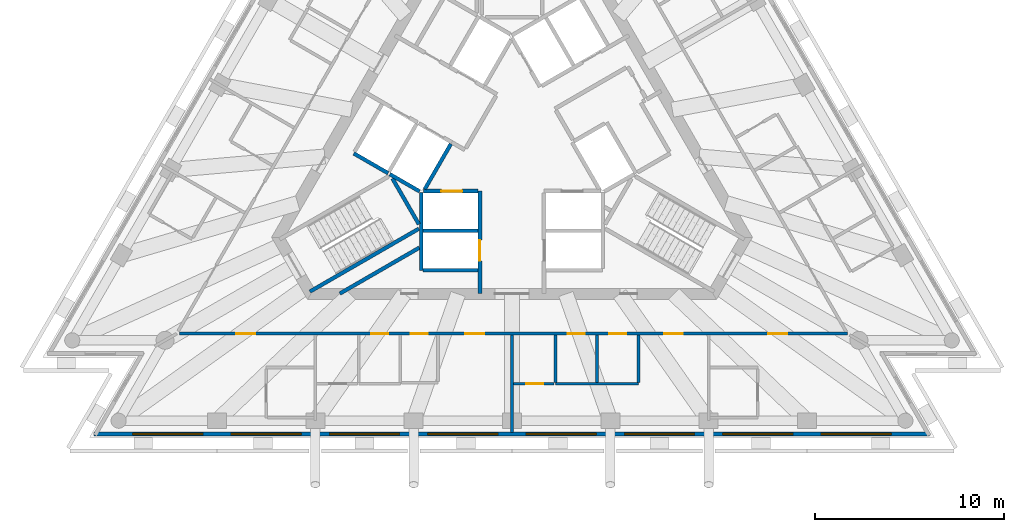
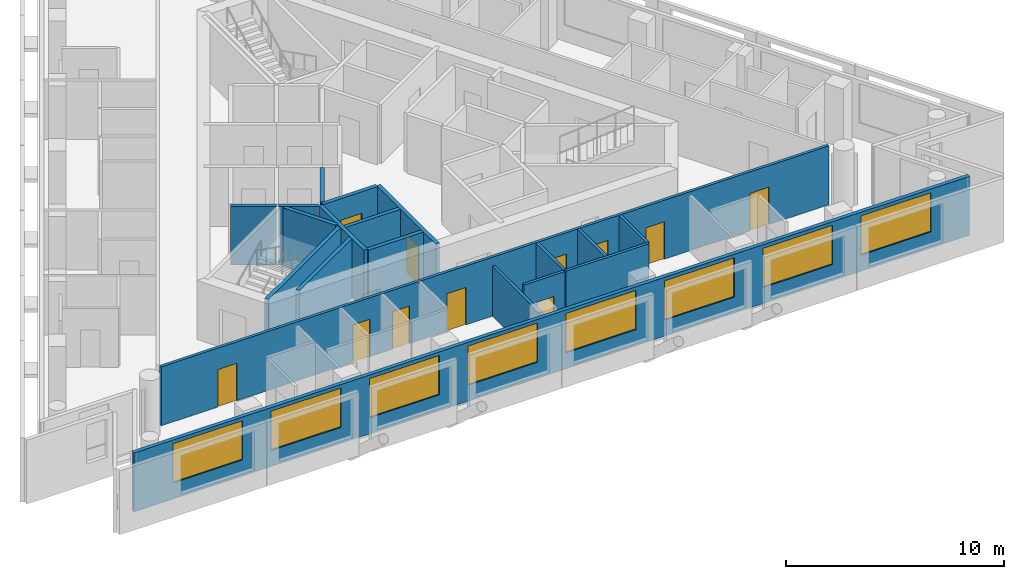
# One storey, part 3 of 10: 19 walls, 11 doors, 8 windows, 19 openings.
"""IFC4 building model written with IfcOpenShell, lengths in metres."""

from ifc_helpers import new_model, si_unit, direction, frame, frame_2d, origin, place, context, subcontext, project, spatial, rectangle, extrude, material, layer, layer_set, layer_usage, type_object, element, fill, save


model = new_model("IFC4")

# Units and contexts
model_context = context("Model", 3, precision=1e-05, world=origin(), true_north=direction((0.0, 1.0)))
body_context = subcontext(model_context, "Body", "Model", "MODEL_VIEW")
ifc_project = project(units=[si_unit("LENGTHUNIT", "METRE"), si_unit("AREAUNIT", "SQUARE_METRE"), si_unit("VOLUMEUNIT", "CUBIC_METRE"), si_unit("PLANEANGLEUNIT", "RADIAN"), si_unit("MASSUNIT", "GRAM", prefix="KILO")], contexts=[model_context])

# Site, building, storey
site_placement = place(None, origin())
site = spatial("IfcSite", under=ifc_project, at=site_placement, CompositionType="ELEMENT")
building_placement = place(site_placement, origin())
building = spatial("IfcBuilding", under=site, at=building_placement, Name="Triada Interchange Tower", CompositionType="ELEMENT")
storey_placement = place(building_placement, frame((0.0, 0.0, 318.699951171875)))
storey = spatial("IfcBuildingStorey", under=building, at=storey_placement, Name="L76", CompositionType="ELEMENT", Elevation=318.699951171875)

# Walls
ifc_material_1 = material(Name="Concrete C30/37", Category="concrete")
ifc_layer_1 = layer(ifc_material_1, 0.199951171875)
ifc_layer_set_1 = layer_set([ifc_layer_1], Name="CORE WALL 200 EI 120")
wall_type_1 = type_object("IfcWallType", Name="CORE WALL 200 EI 120", PredefinedType="SOLIDWALL", material=ifc_layer_set_1)
wall_1_placement = place(storey_placement, frame((-8.3759765625, -0.70703125, 0.0), z_axis=(0.0, 0.0, 1.0), x_axis=(0.866067520717, -0.499927044236, 0.0)))
element("IfcWall", 1, at=wall_1_placement, inside=storey, type_object=wall_type_1, Name="Wall L74 64", PredefinedType="SOLIDWALL", context=body_context, shape_type="SweptSolid", body=[
    extrude(rectangle(XDim=2.100341796875, YDim=0.199951171875, at=frame_2d((1.05029296875, 0.0))), origin(), (0.0, 0.0, 1.0), 3.300048828125),
])
wall_2_placement = place(storey_placement, frame((-4.800048828125, -6.89990234375, 0.0), z_axis=(0.0, 0.0, 1.0), x_axis=(0.0, 1.0, 0.0)))
element("IfcWall", 2, at=wall_2_placement, inside=storey, type_object=wall_type_1, Name="Wall L74 66", PredefinedType="SOLIDWALL", context=body_context, shape_type="SweptSolid", body=[
    extrude(rectangle(XDim=4.130859375, YDim=0.199951171875, at=frame_2d((2.0654296875, 0.0))), origin(), (0.0, 0.0, 1.0), 3.300048828125),
])
for number, where, z_axis, x_axis, name in (
    (3, (-4.699951171875, -6.89990234375, 0.0), (0.0, 0.0, 1.0), (1.0, 0.0, 0.0), "Wall L74 67"),
    (4, (-4.699951171875, -4.800048828125, 0.0), (0.0, 0.0, 1.0), (1.0, 0.0, 0.0), "Wall L74 69"),
):
    element("IfcWall", number, at=place(storey_placement, frame(where, z_axis=z_axis, x_axis=x_axis)), inside=storey, type_object=wall_type_1, Name=name, PredefinedType="SOLIDWALL", context=body_context, shape_type="SweptSolid", body=[
        extrude(rectangle(XDim=2.89990234375, YDim=0.199951171875, at=frame_2d((1.449951171875, 0.0))), origin(), (0.0, 0.0, 1.0), 3.300048828125),
    ])

# Wall, opening, door
wall_3_placement = place(storey_placement, frame((-1.699951171875, -8.1298828125, 0.0), z_axis=(0.0, 0.0, 1.0), x_axis=(0.0, 1.0, 0.0)))
wall_3 = element("IfcWall", 5, at=wall_3_placement, inside=storey, type_object=wall_type_1, Name="Wall L74 71", PredefinedType="SOLIDWALL", context=body_context, shape_type="SweptSolid", body=[
    extrude(rectangle(XDim=5.427001953125, YDim=0.199951171875, at=frame_2d((2.71337890625, 0.0))), origin(), (0.0, 0.0, 1.0), 3.300048828125),
])
opening_1_placement = place(wall_3_placement, frame((1.72998046875, 0.0, 0.0)))
opening_1 = element("IfcOpeningElement", 6, at=opening_1_placement, cuts=wall_3, Name="Opening LD-HR4", PredefinedType="OPENING", context=body_context, shape_type="SweptSolid", body=[
    extrude(rectangle(XDim=1.10009765625, YDim=2.10009765625, at=frame_2d((0.550048828125, 1.050048828125))), frame((0.0, 0.10986328125, 0.0), z_axis=(0.0, -1.0, 0.0), x_axis=(1.0, 0.0, 0.0)), (0.0, 0.0, 1.0), 0.219970703125),
])
ifc_material_2 = material(Name="Steel S235 door leaf", Category="steel")
door_type_1 = type_object("IfcDoorType", Name="LIFT LANDING DOOR 1100 EI 120", OperationType="SLIDING_TO_LEFT", PredefinedType="DOOR", material=ifc_material_2)
door_1_placement = place(opening_1_placement, origin())
door_1 = element("IfcDoor", 7, at=door_1_placement, inside=storey, type_object=door_type_1, Name="HR4 landing door L76", OperationType="SLIDING_TO_LEFT", OverallHeight=2.10009765625, OverallWidth=1.10009765625, PredefinedType="DOOR", context=body_context, shape_type="SweptSolid", body=[
    extrude(rectangle(XDim=1.10009765625, YDim=2.10009765625, at=frame_2d((0.550048828125, 1.050048828125))), frame((0.0, 0.02490234375, 0.0), z_axis=(0.0, -1.0, 0.0), x_axis=(1.0, 0.0, 0.0)), (0.0, 0.0, 1.0), 0.050048828125),
])
fill(opening_1, door_1)

wall_4_placement = place(storey_placement, frame((-4.676025390625, -2.699951171875, 0.0), z_axis=(0.0, 0.0, 1.0), x_axis=(1.0, 0.0, 0.0)))
wall_4 = element("IfcWall", 8, at=wall_4_placement, inside=storey, type_object=wall_type_1, Name="Wall L74 72", PredefinedType="SOLIDWALL", context=body_context, shape_type="SweptSolid", body=[
    extrude(rectangle(XDim=2.873046875, YDim=0.199951171875, at=frame_2d((1.4365234375, 0.0))), origin(), (0.0, 0.0, 1.0), 3.300048828125),
])
opening_2_placement = place(wall_4_placement, frame((0.93701171875, 0.0, 0.0)))
opening_2 = element("IfcOpeningElement", 9, at=opening_2_placement, cuts=wall_4, Name="Opening LD-HR3", PredefinedType="OPENING", context=body_context, shape_type="SweptSolid", body=[
    extrude(rectangle(XDim=1.10009765625, YDim=2.10009765625, at=frame_2d((0.550048828125, 1.050048828125))), frame((0.0, 0.10986328125, 0.0), z_axis=(0.0, -1.0, 0.0), x_axis=(1.0, 0.0, 0.0)), (0.0, 0.0, 1.0), 0.219970703125),
])
door_2_placement = place(opening_2_placement, origin())
door_2 = element("IfcDoor", 10, at=door_2_placement, inside=storey, type_object=door_type_1, Name="HR3 landing door L76", OperationType="SLIDING_TO_LEFT", OverallHeight=2.10009765625, OverallWidth=1.10009765625, PredefinedType="DOOR", context=body_context, shape_type="SweptSolid", body=[
    extrude(rectangle(XDim=1.10009765625, YDim=2.10009765625, at=frame_2d((0.550048828125, 1.050048828125))), frame((0.0, 0.02490234375, 0.0), z_axis=(0.0, -1.0, 0.0), x_axis=(1.0, 0.0, 0.0)), (0.0, 0.0, 1.0), 0.050048828125),
])
fill(opening_2, door_2)

# Walls
ifc_layer_2 = layer(ifc_material_1, 0.199951171875)
ifc_layer_set_2 = layer_set([ifc_layer_2], Name="CORE WALL 200 EI 180")
wall_type_2 = type_object("IfcWallType", Name="CORE WALL 200 EI 180", PredefinedType="SOLIDWALL", material=ifc_layer_set_2)
wall_5_placement = place(storey_placement, frame((-6.469970703125, -1.806884765625, 0.0), z_axis=(0.0, 0.0, 1.0), x_axis=(0.865883195159, -0.500246231712, 0.0)))
element("IfcWall", 11, at=wall_5_placement, inside=storey, type_object=wall_type_2, Name="Shaft wall FF1 L74 97", PredefinedType="SOLIDWALL", context=body_context, shape_type="SweptSolid", body=[
    extrude(rectangle(XDim=1.8154296875, YDim=0.199951171875, at=frame_2d((0.90771484375, 0.0))), origin(), (0.0, 0.0, 1.0), 3.300048828125),
])
wall_6_placement = place(storey_placement, frame((-4.618896484375, -2.60009765625, 0.0), z_axis=(0.0, 0.0, 1.0), x_axis=(0.50009492287, 0.865970593103, 0.0)))
element("IfcWall", 12, at=wall_6_placement, inside=storey, type_object=wall_type_2, Name="Shaft wall FF1 L74 99", PredefinedType="SOLIDWALL", context=body_context, shape_type="SweptSolid", body=[
    extrude(rectangle(XDim=2.76123046875, YDim=0.199951171875, at=frame_2d((1.380615234375, 0.0))), origin(), (0.0, 0.0, 1.0), 3.300048828125),
])
ifc_layer_3 = layer(ifc_material_1, 0.199951171875)
ifc_layer_set_3 = layer_set([ifc_layer_3], Name="CORE WALL 200 EI 90")
wall_type_3 = type_object("IfcWallType", Name="CORE WALL 200 EI 90", PredefinedType="SOLIDWALL", material=ifc_layer_set_3)
wall_7_placement = place(storey_placement, frame((-9.114990234375, -8.1298828125, 0.0), z_axis=(0.0, 0.0, 1.0), x_axis=(0.866002649306, 0.500039409842, 0.0)))
element("IfcWall", 13, at=wall_7_placement, inside=storey, type_object=wall_type_3, Name="Wall L74 104", PredefinedType="SOLIDWALL", context=body_context, shape_type="SweptSolid", body=[
    extrude(rectangle(XDim=4.8671875, YDim=0.199951171875, at=frame_2d((2.43359375, 0.0))), origin(), (0.0, 0.0, 1.0), 3.300048828125),
])
ifc_layer_4 = layer(ifc_material_1, 0.199951171875)
ifc_layer_set_4 = layer_set([ifc_layer_4], Name="CORE WALL 200 REI 240")
wall_type_4 = type_object("IfcWallType", Name="CORE WALL 200 REI 240", PredefinedType="SOLIDWALL", material=ifc_layer_set_4)
wall_8_placement = place(storey_placement, frame((-6.3291015625, -2.0380859375, 0.0), z_axis=(0.0, 0.0, 1.0), x_axis=(0.500200581029, -0.865909567298, 0.0)))
element("IfcWall", 14, at=wall_8_placement, inside=storey, type_object=wall_type_4, Name="Wall L74 111", PredefinedType="SOLIDWALL", context=body_context, shape_type="SweptSolid", body=[
    extrude(rectangle(XDim=2.799072265625, YDim=0.199951171875, at=frame_2d((1.3994140625, 0.0))), origin(), (0.0, 0.0, 1.0), 3.300048828125),
])
wall_9_placement = place(storey_placement, frame((-10.700927734375, -8.02587890625, 0.0), z_axis=(0.0, 0.0, 1.0), x_axis=(0.866005022404, 0.500035299925, 0.0)))
element("IfcWall", 15, at=wall_9_placement, inside=storey, type_object=wall_type_4, Name="Wall L74 112", PredefinedType="SOLIDWALL", context=body_context, shape_type="SweptSolid", body=[
    extrude(rectangle(XDim=6.6650390625, YDim=0.199951171875, at=frame_2d((3.33251953125, 0.0))), origin(), (0.0, 0.0, 1.0), 3.300048828125),
])

# Wall, openings, windows
ifc_material_3 = material(Name="Cement board")
ifc_layer_5 = layer(ifc_material_3, 0.02001953125, Name="Cement board cladding")
ifc_material_4 = material(Name="Sheathing board")
ifc_layer_6 = layer(ifc_material_4, 0.014892578125, Name="Sheathing board")
ifc_material_5 = material(Name="Mineral wool")
ifc_layer_7 = layer(ifc_material_5, 0.14990234375, Name="Mineral wool between steel studs")
ifc_material_6 = material(Name="Gypsum board")
ifc_layer_8 = layer(ifc_material_6, 0.014892578125, Name="Plasterboard lining")
ifc_layer_set_5 = layer_set([ifc_layer_5, ifc_layer_6, ifc_layer_7, ifc_layer_8], Name="External wall 200")
ifc_layer_usage = layer_usage(ifc_layer_set_5, "AXIS2", "POSITIVE", -0.10009765625)
wall_type_5 = type_object("IfcWallType", Name="External wall 200", PredefinedType="ELEMENTEDWALL", material=ifc_layer_set_5)
wall_10_placement = place(storey_placement, frame((-22.132080078125, -15.56298828125, 0.0), z_axis=(0.0, 0.0, 1.0), x_axis=(1.0, 0.0, 0.0)))
wall_10 = element("IfcWall", 16, at=wall_10_placement, inside=storey, type_object=wall_type_5, material=ifc_layer_usage, Name="External wall L76 S", PredefinedType="ELEMENTEDWALL", context=body_context, shape_type="SweptSolid", body=[
    extrude(rectangle(XDim=44.244140625, YDim=0.199951171875, at=frame_2d((22.1220703125, 0.0))), origin(), (0.0, 0.0, 1.0), 3.300048828125),
])
opening_3_placement = place(wall_10_placement, frame((2.056884765625, 0.0, 0.89990234375)))
opening_3 = element("IfcOpeningElement", 17, at=opening_3_placement, cuts=wall_10, Name="Opening WD11", PredefinedType="OPENING", context=body_context, shape_type="SweptSolid", body=[
    extrude(rectangle(XDim=3.699951171875, YDim=2.199951171875, at=frame_2d((1.85009765625, 1.10009765625))), frame((0.0, 0.10986328125, 0.0), z_axis=(0.0, -1.0, 0.0), x_axis=(1.0, 0.0, 0.0)), (0.0, 0.0, 1.0), 0.219970703125),
])
opening_4_placement = place(wall_10_placement, frame((7.263916015625, 0.0, 0.89990234375)))
opening_4 = element("IfcOpeningElement", 18, at=opening_4_placement, cuts=wall_10, Name="Opening WD12", PredefinedType="OPENING", context=body_context, shape_type="SweptSolid", body=[
    extrude(rectangle(XDim=3.699951171875, YDim=2.199951171875, at=frame_2d((1.85009765625, 1.10009765625))), frame((0.0, 0.10986328125, 0.0), z_axis=(0.0, -1.0, 0.0), x_axis=(1.0, 0.0, 0.0)), (0.0, 0.0, 1.0), 0.219970703125),
])
opening_5_placement = place(wall_10_placement, frame((12.470947265625, 0.0, 0.89990234375)))
opening_5 = element("IfcOpeningElement", 19, at=opening_5_placement, cuts=wall_10, Name="Opening WD13", PredefinedType="OPENING", context=body_context, shape_type="SweptSolid", body=[
    extrude(rectangle(XDim=3.699951171875, YDim=2.199951171875, at=frame_2d((1.85009765625, 1.10009765625))), frame((0.0, 0.10986328125, 0.0), z_axis=(0.0, -1.0, 0.0), x_axis=(1.0, 0.0, 0.0)), (0.0, 0.0, 1.0), 0.219970703125),
])
opening_6_placement = place(wall_10_placement, frame((17.677978515625, 0.0, 0.89990234375)))
opening_6 = element("IfcOpeningElement", 20, at=opening_6_placement, cuts=wall_10, Name="Opening WD14", PredefinedType="OPENING", context=body_context, shape_type="SweptSolid", body=[
    extrude(rectangle(XDim=3.699951171875, YDim=2.199951171875, at=frame_2d((1.85009765625, 1.10009765625))), frame((0.0, 0.10986328125, 0.0), z_axis=(0.0, -1.0, 0.0), x_axis=(1.0, 0.0, 0.0)), (0.0, 0.0, 1.0), 0.219970703125),
])
opening_7_placement = place(wall_10_placement, frame((22.885986328125, 0.0, 0.89990234375)))
opening_7 = element("IfcOpeningElement", 21, at=opening_7_placement, cuts=wall_10, Name="Opening WD15", PredefinedType="OPENING", context=body_context, shape_type="SweptSolid", body=[
    extrude(rectangle(XDim=3.699951171875, YDim=2.199951171875, at=frame_2d((1.85009765625, 1.10009765625))), frame((0.0, 0.10986328125, 0.0), z_axis=(0.0, -1.0, 0.0), x_axis=(1.0, 0.0, 0.0)), (0.0, 0.0, 1.0), 0.219970703125),
])
opening_8_placement = place(wall_10_placement, frame((28.093017578125, 0.0, 0.89990234375)))
opening_8 = element("IfcOpeningElement", 22, at=opening_8_placement, cuts=wall_10, Name="Opening WD16", PredefinedType="OPENING", context=body_context, shape_type="SweptSolid", body=[
    extrude(rectangle(XDim=3.699951171875, YDim=2.199951171875, at=frame_2d((1.85009765625, 1.10009765625))), frame((0.0, 0.10986328125, 0.0), z_axis=(0.0, -1.0, 0.0), x_axis=(1.0, 0.0, 0.0)), (0.0, 0.0, 1.0), 0.219970703125),
])
opening_9_placement = place(wall_10_placement, frame((33.300048828125, 0.0, 0.89990234375)))
opening_9 = element("IfcOpeningElement", 23, at=opening_9_placement, cuts=wall_10, Name="Opening WD17", PredefinedType="OPENING", context=body_context, shape_type="SweptSolid", body=[
    extrude(rectangle(XDim=3.699951171875, YDim=2.199951171875, at=frame_2d((1.85009765625, 1.10009765625))), frame((0.0, 0.10986328125, 0.0), z_axis=(0.0, -1.0, 0.0), x_axis=(1.0, 0.0, 0.0)), (0.0, 0.0, 1.0), 0.219970703125),
])
opening_10_placement = place(wall_10_placement, frame((38.507080078125, 0.0, 0.89990234375)))
opening_10 = element("IfcOpeningElement", 24, at=opening_10_placement, cuts=wall_10, Name="Opening WD18", PredefinedType="OPENING", context=body_context, shape_type="SweptSolid", body=[
    extrude(rectangle(XDim=3.699951171875, YDim=2.199951171875, at=frame_2d((1.85009765625, 1.10009765625))), frame((0.0, 0.10986328125, 0.0), z_axis=(0.0, -1.0, 0.0), x_axis=(1.0, 0.0, 0.0)), (0.0, 0.0, 1.0), 0.219970703125),
])
ifc_material_7 = material(Name="Double glazed aluminium window", Category="aluminium")
window_type = type_object("IfcWindowType", Name="Ribbon window D face", PartitioningType="SINGLE_PANEL", PredefinedType="WINDOW", material=ifc_material_7)
window_1_placement = place(opening_3_placement, origin())
window_1 = element("IfcWindow", 25, at=window_1_placement, inside=storey, type_object=window_type, Name="Window L76 S 1", OverallHeight=2.199951171875, OverallWidth=3.699951171875, PartitioningType="SINGLE_PANEL", PredefinedType="WINDOW", context=body_context, shape_type="SweptSolid", body=[
    extrude(rectangle(XDim=3.699951171875, YDim=2.199951171875, at=frame_2d((1.85009765625, 1.10009765625))), frame((0.0, 0.030029296875, 0.0), z_axis=(0.0, -1.0, 0.0), x_axis=(1.0, 0.0, 0.0)), (0.0, 0.0, 1.0), 0.06005859375),
])
fill(opening_3, window_1)
window_2_placement = place(opening_4_placement, origin())
window_2 = element("IfcWindow", 26, at=window_2_placement, inside=storey, type_object=window_type, Name="Window L76 S 2", OverallHeight=2.199951171875, OverallWidth=3.699951171875, PartitioningType="SINGLE_PANEL", PredefinedType="WINDOW", context=body_context, shape_type="SweptSolid", body=[
    extrude(rectangle(XDim=3.699951171875, YDim=2.199951171875, at=frame_2d((1.85009765625, 1.10009765625))), frame((0.0, 0.030029296875, 0.0), z_axis=(0.0, -1.0, 0.0), x_axis=(1.0, 0.0, 0.0)), (0.0, 0.0, 1.0), 0.06005859375),
])
fill(opening_4, window_2)
window_3_placement = place(opening_5_placement, origin())
window_3 = element("IfcWindow", 27, at=window_3_placement, inside=storey, type_object=window_type, Name="Window L76 S 3", OverallHeight=2.199951171875, OverallWidth=3.699951171875, PartitioningType="SINGLE_PANEL", PredefinedType="WINDOW", context=body_context, shape_type="SweptSolid", body=[
    extrude(rectangle(XDim=3.699951171875, YDim=2.199951171875, at=frame_2d((1.85009765625, 1.10009765625))), frame((0.0, 0.030029296875, 0.0), z_axis=(0.0, -1.0, 0.0), x_axis=(1.0, 0.0, 0.0)), (0.0, 0.0, 1.0), 0.06005859375),
])
fill(opening_5, window_3)
window_4_placement = place(opening_6_placement, origin())
window_4 = element("IfcWindow", 28, at=window_4_placement, inside=storey, type_object=window_type, Name="Window L76 S 4", OverallHeight=2.199951171875, OverallWidth=3.699951171875, PartitioningType="SINGLE_PANEL", PredefinedType="WINDOW", context=body_context, shape_type="SweptSolid", body=[
    extrude(rectangle(XDim=3.699951171875, YDim=2.199951171875, at=frame_2d((1.85009765625, 1.10009765625))), frame((0.0, 0.030029296875, 0.0), z_axis=(0.0, -1.0, 0.0), x_axis=(1.0, 0.0, 0.0)), (0.0, 0.0, 1.0), 0.06005859375),
])
fill(opening_6, window_4)
window_5_placement = place(opening_7_placement, origin())
window_5 = element("IfcWindow", 29, at=window_5_placement, inside=storey, type_object=window_type, Name="Window L76 S 5", OverallHeight=2.199951171875, OverallWidth=3.699951171875, PartitioningType="SINGLE_PANEL", PredefinedType="WINDOW", context=body_context, shape_type="SweptSolid", body=[
    extrude(rectangle(XDim=3.699951171875, YDim=2.199951171875, at=frame_2d((1.85009765625, 1.10009765625))), frame((0.0, 0.030029296875, 0.0), z_axis=(0.0, -1.0, 0.0), x_axis=(1.0, 0.0, 0.0)), (0.0, 0.0, 1.0), 0.06005859375),
])
fill(opening_7, window_5)
window_6_placement = place(opening_8_placement, origin())
window_6 = element("IfcWindow", 30, at=window_6_placement, inside=storey, type_object=window_type, Name="Window L76 S 6", OverallHeight=2.199951171875, OverallWidth=3.699951171875, PartitioningType="SINGLE_PANEL", PredefinedType="WINDOW", context=body_context, shape_type="SweptSolid", body=[
    extrude(rectangle(XDim=3.699951171875, YDim=2.199951171875, at=frame_2d((1.85009765625, 1.10009765625))), frame((0.0, 0.030029296875, 0.0), z_axis=(0.0, -1.0, 0.0), x_axis=(1.0, 0.0, 0.0)), (0.0, 0.0, 1.0), 0.06005859375),
])
fill(opening_8, window_6)
window_7_placement = place(opening_9_placement, origin())
window_7 = element("IfcWindow", 31, at=window_7_placement, inside=storey, type_object=window_type, Name="Window L76 S 7", OverallHeight=2.199951171875, OverallWidth=3.699951171875, PartitioningType="SINGLE_PANEL", PredefinedType="WINDOW", context=body_context, shape_type="SweptSolid", body=[
    extrude(rectangle(XDim=3.699951171875, YDim=2.199951171875, at=frame_2d((1.85009765625, 1.10009765625))), frame((0.0, 0.030029296875, 0.0), z_axis=(0.0, -1.0, 0.0), x_axis=(1.0, 0.0, 0.0)), (0.0, 0.0, 1.0), 0.06005859375),
])
fill(opening_9, window_7)
window_8_placement = place(opening_10_placement, origin())
window_8 = element("IfcWindow", 32, at=window_8_placement, inside=storey, type_object=window_type, Name="Window L76 S 8", OverallHeight=2.199951171875, OverallWidth=3.699951171875, PartitioningType="SINGLE_PANEL", PredefinedType="WINDOW", context=body_context, shape_type="SweptSolid", body=[
    extrude(rectangle(XDim=3.699951171875, YDim=2.199951171875, at=frame_2d((1.85009765625, 1.10009765625))), frame((0.0, 0.030029296875, 0.0), z_axis=(0.0, -1.0, 0.0), x_axis=(1.0, 0.0, 0.0)), (0.0, 0.0, 1.0), 0.06005859375),
])
fill(opening_10, window_8)

# Wall, openings, doors
ifc_material_8 = material(Name="Gypsum board partition")
ifc_layer_9 = layer(ifc_material_8, 0.14990234375)
ifc_layer_set_6 = layer_set([ifc_layer_9], Name="PARTITION 150 EI 180")
wall_type_6 = type_object("IfcWallType", Name="PARTITION 150 EI 180", PredefinedType="PARTITIONING", material=ifc_layer_set_6)
wall_11_placement = place(storey_placement, frame((-17.60400390625, -10.25, 0.0), z_axis=(0.0, 0.0, 1.0), x_axis=(1.0, 0.0, 0.0)))
wall_11 = element("IfcWall", 33, at=wall_11_placement, inside=storey, type_object=wall_type_6, Name="Wall L74 5", PredefinedType="PARTITIONING", context=body_context, shape_type="SweptSolid", body=[
    extrude(rectangle(XDim=35.35791015625, YDim=0.14990234375, at=frame_2d((17.678955078125, 0.0))), origin(), (0.0, 0.0, 1.0), 3.300048828125),
])
opening_11_placement = place(wall_11_placement, frame((3.0, 0.0, 0.0)))
opening_11 = element("IfcOpeningElement", 34, at=opening_11_placement, cuts=wall_11, Name="Opening D74-11", PredefinedType="OPENING", context=body_context, shape_type="SweptSolid", body=[
    extrude(rectangle(XDim=1.0, YDim=2.10009765625, at=frame_2d((0.5, 1.050048828125))), frame((0.0, 0.0849609375, 0.0), z_axis=(0.0, -1.0, 0.0), x_axis=(1.0, 0.0, 0.0)), (0.0, 0.0, 1.0), 0.169921875),
])
opening_12_placement = place(wall_11_placement, frame((15.139892578125, 0.0, 0.0)))
opening_12 = element("IfcOpeningElement", 35, at=opening_12_placement, cuts=wall_11, Name="Opening D74-13", PredefinedType="OPENING", context=body_context, shape_type="SweptSolid", body=[
    extrude(rectangle(XDim=1.0, YDim=2.10009765625, at=frame_2d((0.5, 1.050048828125))), frame((0.0, 0.0849609375, 0.0), z_axis=(0.0, -1.0, 0.0), x_axis=(1.0, 0.0, 0.0)), (0.0, 0.0, 1.0), 0.169921875),
])
opening_13_placement = place(wall_11_placement, frame((10.139892578125, 0.0, 0.0)))
opening_13 = element("IfcOpeningElement", 36, at=opening_13_placement, cuts=wall_11, Name="Opening D74-15", PredefinedType="OPENING", context=body_context, shape_type="SweptSolid", body=[
    extrude(rectangle(XDim=0.89990234375, YDim=2.10009765625, at=frame_2d((0.449951171875, 1.050048828125))), frame((0.0, 0.0849609375, 0.0), z_axis=(0.0, -1.0, 0.0), x_axis=(1.0, 0.0, 0.0)), (0.0, 0.0, 1.0), 0.169921875),
])
opening_14_placement = place(wall_11_placement, frame((12.239990234375, 0.0, 0.0)))
opening_14 = element("IfcOpeningElement", 37, at=opening_14_placement, cuts=wall_11, Name="Opening D74-16", PredefinedType="OPENING", context=body_context, shape_type="SweptSolid", body=[
    extrude(rectangle(XDim=0.89990234375, YDim=2.10009765625, at=frame_2d((0.449951171875, 1.050048828125))), frame((0.0, 0.0849609375, 0.0), z_axis=(0.0, -1.0, 0.0), x_axis=(1.0, 0.0, 0.0)), (0.0, 0.0, 1.0), 0.169921875),
])
opening_15_placement = place(wall_11_placement, frame((25.654052734375, 0.0, 0.0)))
opening_15 = element("IfcOpeningElement", 38, at=opening_15_placement, cuts=wall_11, Name="Opening D74-17", PredefinedType="OPENING", context=body_context, shape_type="SweptSolid", body=[
    extrude(rectangle(XDim=1.0, YDim=2.10009765625, at=frame_2d((0.5, 1.050048828125))), frame((0.0, 0.0849609375, 0.0), z_axis=(0.0, -1.0, 0.0), x_axis=(1.0, 0.0, 0.0)), (0.0, 0.0, 1.0), 0.169921875),
])
opening_16_placement = place(wall_11_placement, frame((20.553955078125, 0.0, 0.0)))
opening_16 = element("IfcOpeningElement", 39, at=opening_16_placement, cuts=wall_11, Name="Opening D74-19", PredefinedType="OPENING", context=body_context, shape_type="SweptSolid", body=[
    extrude(rectangle(XDim=0.89990234375, YDim=2.10009765625, at=frame_2d((0.449951171875, 1.050048828125))), frame((0.0, 0.0849609375, 0.0), z_axis=(0.0, -1.0, 0.0), x_axis=(1.0, 0.0, 0.0)), (0.0, 0.0, 1.0), 0.169921875),
])
opening_17_placement = place(wall_11_placement, frame((22.75390625, 0.0, 0.0)))
opening_17 = element("IfcOpeningElement", 40, at=opening_17_placement, cuts=wall_11, Name="Opening D74-20", PredefinedType="OPENING", context=body_context, shape_type="SweptSolid", body=[
    extrude(rectangle(XDim=0.89990234375, YDim=2.10009765625, at=frame_2d((0.449951171875, 1.050048828125))), frame((0.0, 0.0849609375, 0.0), z_axis=(0.0, -1.0, 0.0), x_axis=(1.0, 0.0, 0.0)), (0.0, 0.0, 1.0), 0.169921875),
])
opening_18_placement = place(wall_11_placement, frame((31.16796875, 0.0, 0.0)))
opening_18 = element("IfcOpeningElement", 41, at=opening_18_placement, cuts=wall_11, Name="Opening D74-21", PredefinedType="OPENING", context=body_context, shape_type="SweptSolid", body=[
    extrude(rectangle(XDim=1.0, YDim=2.10009765625, at=frame_2d((0.5, 1.050048828125))), frame((0.0, 0.0849609375, 0.0), z_axis=(0.0, -1.0, 0.0), x_axis=(1.0, 0.0, 0.0)), (0.0, 0.0, 1.0), 0.169921875),
])
door_type_2 = type_object("IfcDoorType", Name="GUEST ROOM DOOR 1000 EI2 90-C5S200", OperationType="NOTDEFINED", PredefinedType="DOOR", material=ifc_material_2)
door_3_placement = place(opening_11_placement, origin())
door_3 = element("IfcDoor", 42, at=door_3_placement, inside=storey, type_object=door_type_2, Name="Door D74-11 L76", OperationType="SINGLE_SWING_RIGHT", OverallHeight=2.10009765625, OverallWidth=1.0, PredefinedType="DOOR", context=body_context, shape_type="SweptSolid", body=[
    extrude(rectangle(XDim=1.0, YDim=2.10009765625, at=frame_2d((0.5, 1.050048828125))), frame((0.0, 0.02490234375, 0.0), z_axis=(0.0, -1.0, 0.0), x_axis=(1.0, 0.0, 0.0)), (0.0, 0.0, 1.0), 0.050048828125),
])
fill(opening_11, door_3)
door_4_placement = place(opening_12_placement, origin())
door_4 = element("IfcDoor", 43, at=door_4_placement, inside=storey, type_object=door_type_2, Name="Door D74-13 L76", OperationType="SINGLE_SWING_LEFT", OverallHeight=2.10009765625, OverallWidth=1.0, PredefinedType="DOOR", context=body_context, shape_type="SweptSolid", body=[
    extrude(rectangle(XDim=1.0, YDim=2.10009765625, at=frame_2d((0.5, 1.050048828125))), frame((0.0, 0.02490234375, 0.0), z_axis=(0.0, -1.0, 0.0), x_axis=(1.0, 0.0, 0.0)), (0.0, 0.0, 1.0), 0.050048828125),
])
fill(opening_12, door_4)
door_5_placement = place(opening_15_placement, origin())
door_5 = element("IfcDoor", 44, at=door_5_placement, inside=storey, type_object=door_type_2, Name="Door D74-17 L76", OperationType="SINGLE_SWING_LEFT", OverallHeight=2.10009765625, OverallWidth=1.0, PredefinedType="DOOR", context=body_context, shape_type="SweptSolid", body=[
    extrude(rectangle(XDim=1.0, YDim=2.10009765625, at=frame_2d((0.5, 1.050048828125))), frame((0.0, 0.02490234375, 0.0), z_axis=(0.0, -1.0, 0.0), x_axis=(1.0, 0.0, 0.0)), (0.0, 0.0, 1.0), 0.050048828125),
])
fill(opening_15, door_5)
door_6_placement = place(opening_18_placement, origin())
door_6 = element("IfcDoor", 45, at=door_6_placement, inside=storey, type_object=door_type_2, Name="Door D74-21 L76", OperationType="SINGLE_SWING_LEFT", OverallHeight=2.10009765625, OverallWidth=1.0, PredefinedType="DOOR", context=body_context, shape_type="SweptSolid", body=[
    extrude(rectangle(XDim=1.0, YDim=2.10009765625, at=frame_2d((0.5, 1.050048828125))), frame((0.0, 0.02490234375, 0.0), z_axis=(0.0, -1.0, 0.0), x_axis=(1.0, 0.0, 0.0)), (0.0, 0.0, 1.0), 0.050048828125),
])
fill(opening_18, door_6)
door_type_3 = type_object("IfcDoorType", Name="ROOM DOOR 900 EI2 90-C5S200", OperationType="NOTDEFINED", PredefinedType="DOOR", material=ifc_material_2)
door_7_placement = place(opening_14_placement, origin())
door_7 = element("IfcDoor", 46, at=door_7_placement, inside=storey, type_object=door_type_3, Name="Door D74-16 L76", OperationType="SINGLE_SWING_RIGHT", OverallHeight=2.10009765625, OverallWidth=0.89990234375, PredefinedType="DOOR", context=body_context, shape_type="SweptSolid", body=[
    extrude(rectangle(XDim=0.89990234375, YDim=2.10009765625, at=frame_2d((0.449951171875, 1.050048828125))), frame((0.0, 0.02490234375, 0.0), z_axis=(0.0, -1.0, 0.0), x_axis=(1.0, 0.0, 0.0)), (0.0, 0.0, 1.0), 0.050048828125),
])
fill(opening_14, door_7)
door_8_placement = place(opening_17_placement, origin())
door_8 = element("IfcDoor", 47, at=door_8_placement, inside=storey, type_object=door_type_3, Name="Door D74-20 L76", OperationType="SINGLE_SWING_RIGHT", OverallHeight=2.10009765625, OverallWidth=0.89990234375, PredefinedType="DOOR", context=body_context, shape_type="SweptSolid", body=[
    extrude(rectangle(XDim=0.89990234375, YDim=2.10009765625, at=frame_2d((0.449951171875, 1.050048828125))), frame((0.0, 0.02490234375, 0.0), z_axis=(0.0, -1.0, 0.0), x_axis=(1.0, 0.0, 0.0)), (0.0, 0.0, 1.0), 0.050048828125),
])
fill(opening_17, door_8)
door_type_4 = type_object("IfcDoorType", Name="SERVICE DOOR 900 EI2 90-C5S200", OperationType="NOTDEFINED", PredefinedType="DOOR", material=ifc_material_2)
door_9_placement = place(opening_13_placement, origin())
door_9 = element("IfcDoor", 48, at=door_9_placement, inside=storey, type_object=door_type_4, Name="Door D74-15 L76", OperationType="SINGLE_SWING_RIGHT", OverallHeight=2.10009765625, OverallWidth=0.89990234375, PredefinedType="DOOR", context=body_context, shape_type="SweptSolid", body=[
    extrude(rectangle(XDim=0.89990234375, YDim=2.10009765625, at=frame_2d((0.449951171875, 1.050048828125))), frame((0.0, 0.02490234375, 0.0), z_axis=(0.0, -1.0, 0.0), x_axis=(1.0, 0.0, 0.0)), (0.0, 0.0, 1.0), 0.050048828125),
])
fill(opening_13, door_9)
door_10_placement = place(opening_16_placement, origin())
door_10 = element("IfcDoor", 49, at=door_10_placement, inside=storey, type_object=door_type_4, Name="Door D74-19 L76", OperationType="SINGLE_SWING_RIGHT", OverallHeight=2.10009765625, OverallWidth=0.89990234375, PredefinedType="DOOR", context=body_context, shape_type="SweptSolid", body=[
    extrude(rectangle(XDim=0.89990234375, YDim=2.10009765625, at=frame_2d((0.449951171875, 1.050048828125))), frame((0.0, 0.02490234375, 0.0), z_axis=(0.0, -1.0, 0.0), x_axis=(1.0, 0.0, 0.0)), (0.0, 0.0, 1.0), 0.050048828125),
])
fill(opening_16, door_10)

# Walls
wall_12_placement = place(storey_placement, frame((2.300048828125, -12.906005859375, 0.0), z_axis=(0.0, 0.0, 1.0), x_axis=(1.0, 0.0, 0.0)))
element("IfcWall", 50, at=wall_12_placement, inside=storey, type_object=wall_type_6, Name="Wall L74 15", PredefinedType="PARTITIONING", context=body_context, shape_type="SweptSolid", body=[
    extrude(rectangle(XDim=4.39990234375, YDim=0.14990234375, at=frame_2d((2.199951171875, 0.0))), origin(), (0.0, 0.0, 1.0), 3.300048828125),
])
wall_13_placement = place(storey_placement, frame((0.0, -15.48291015625, 0.0), z_axis=(0.0, 0.0, 1.0), x_axis=(0.0, 1.0, 0.0)))
element("IfcWall", 51, at=wall_13_placement, inside=storey, type_object=wall_type_6, Name="Wall L74 20", PredefinedType="PARTITIONING", context=body_context, shape_type="SweptSolid", body=[
    extrude(rectangle(XDim=5.157958984375, YDim=0.14990234375, at=frame_2d((2.5791015625, 0.0))), origin(), (0.0, 0.0, 1.0), 2.800048828125),
])
for number, where, z_axis, x_axis, name in (
    (52, (2.300048828125, -12.83203125, 0.0), (0.0, 0.0, 1.0), (0.0, 1.0, 0.0), "Wall L74 23"),
    (53, (6.699951171875, -12.83203125, 0.0), (0.0, 0.0, 1.0), (0.0, 1.0, 0.0), "Wall L74 25"),
    (54, (4.5, -12.83203125, 0.0), (0.0, 0.0, 1.0), (0.0, 1.0, 0.0), "Wall L74 26"),
):
    element("IfcWall", number, at=place(storey_placement, frame(where, z_axis=z_axis, x_axis=x_axis)), inside=storey, type_object=wall_type_6, Name=name, PredefinedType="PARTITIONING", context=body_context, shape_type="SweptSolid", body=[
        extrude(rectangle(XDim=2.507080078125, YDim=0.14990234375, at=frame_2d((1.25341796875, 0.0))), origin(), (0.0, 0.0, 1.0), 3.300048828125),
    ])

# Wall, opening, door
ifc_layer_10 = layer(ifc_material_8, 0.14990234375)
ifc_layer_set_7 = layer_set([ifc_layer_10], Name="PARTITION 150 EI 90")
wall_type_7 = type_object("IfcWallType", Name="PARTITION 150 EI 90", PredefinedType="PARTITIONING", material=ifc_layer_set_7)
wall_14_placement = place(storey_placement, frame((0.074951171875, -12.906005859375, 0.0), z_axis=(0.0, 0.0, 1.0), x_axis=(1.0, 0.0, 0.0)))
wall_14 = element("IfcWall", 55, at=wall_14_placement, inside=storey, type_object=wall_type_7, Name="Wall L74 45", PredefinedType="PARTITIONING", context=body_context, shape_type="SweptSolid", body=[
    extrude(rectangle(XDim=2.152099609375, YDim=0.14990234375, at=frame_2d((1.076171875, 0.0))), origin(), (0.0, 0.0, 1.0), 3.300048828125),
])
opening_19_placement = place(wall_14_placement, frame((0.675048828125, 0.0, 0.0)))
opening_19 = element("IfcOpeningElement", 56, at=opening_19_placement, cuts=wall_14, Name="Opening D74-18", PredefinedType="OPENING", context=body_context, shape_type="SweptSolid", body=[
    extrude(rectangle(XDim=0.89990234375, YDim=2.10009765625, at=frame_2d((0.449951171875, 1.050048828125))), frame((0.0, 0.0849609375, 0.0), z_axis=(0.0, -1.0, 0.0), x_axis=(1.0, 0.0, 0.0)), (0.0, 0.0, 1.0), 0.169921875),
])
door_type_5 = type_object("IfcDoorType", Name="ROOM DOOR 900 EI2 45-C5S200", OperationType="NOTDEFINED", PredefinedType="DOOR", material=ifc_material_2)
door_11_placement = place(opening_19_placement, origin())
door_11 = element("IfcDoor", 57, at=door_11_placement, inside=storey, type_object=door_type_5, Name="Door D74-18 L76", OperationType="SINGLE_SWING_LEFT", OverallHeight=2.10009765625, OverallWidth=0.89990234375, PredefinedType="DOOR", context=body_context, shape_type="SweptSolid", body=[
    extrude(rectangle(XDim=0.89990234375, YDim=2.10009765625, at=frame_2d((0.449951171875, 1.050048828125))), frame((0.0, 0.02490234375, 0.0), z_axis=(0.0, -1.0, 0.0), x_axis=(1.0, 0.0, 0.0)), (0.0, 0.0, 1.0), 0.050048828125),
])
fill(opening_19, door_11)

save(model, "model.ifc")
